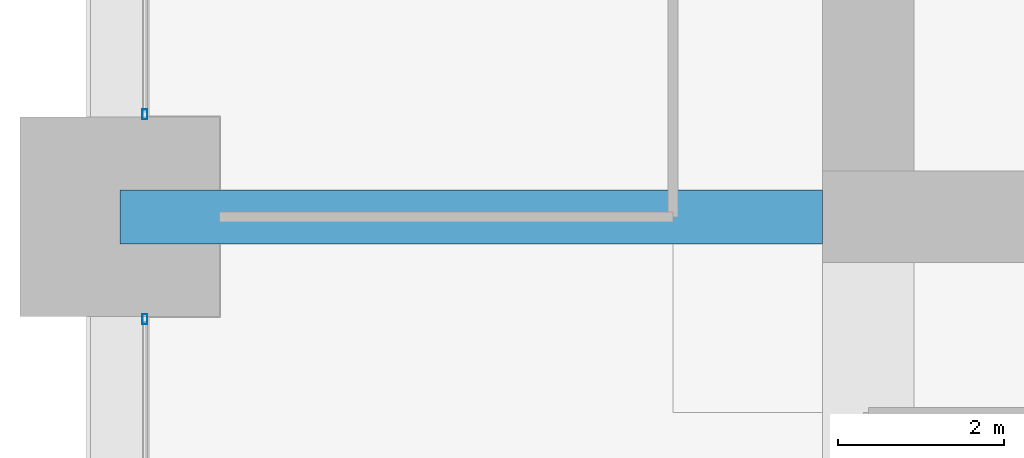
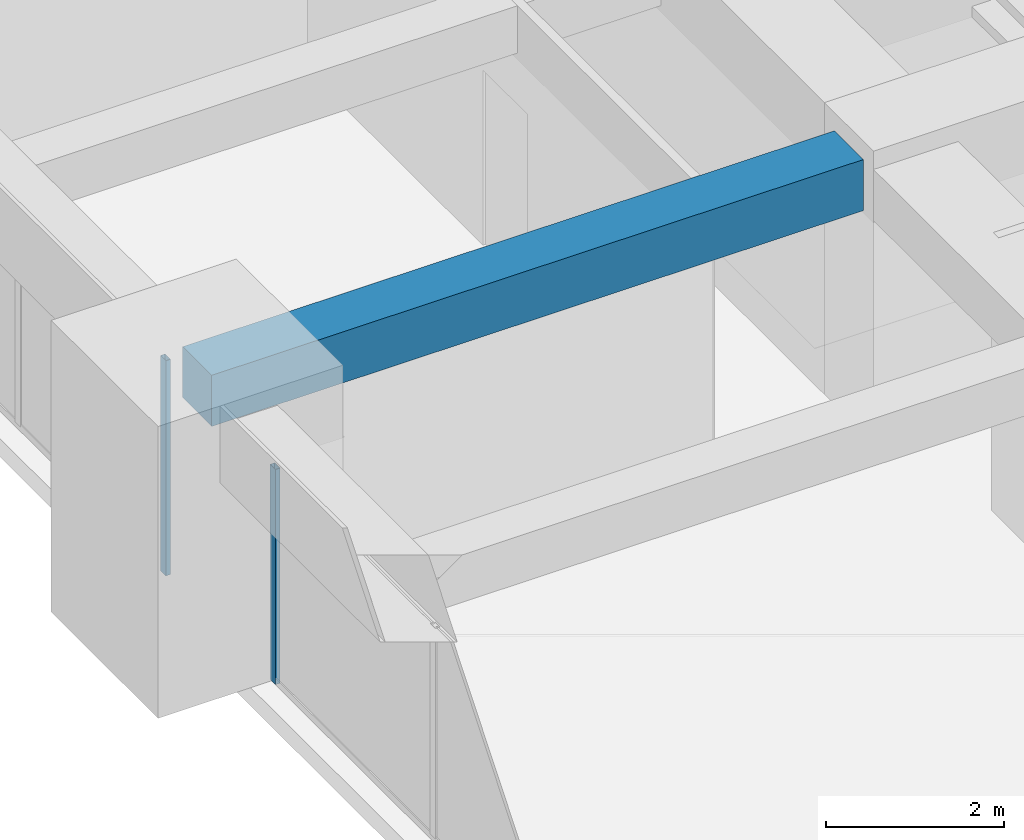
# One storey, part 13 of 45: 2 members, 1 beam, 2 elements without a shape of their own.
"""IFC4 building model written with IfcOpenShell, lengths in metres."""

from ifc_helpers import new_model, si_unit, direction, frame, origin, origin_2d, place, context, subcontext, project, spatial, rectangle, hollow_rectangle, extrude, material, material_profile, profile_set, type_object, element, aggregate, save


model = new_model("IFC4")

# Units and contexts
model_context = context("Model", 3, precision=1e-05, world=origin(), true_north=direction((0.0, 1.0)))
body_context = subcontext(model_context, "Body", "Model", "MODEL_VIEW")
ifc_project = project(units=[si_unit("LENGTHUNIT", "METRE"), si_unit("AREAUNIT", "SQUARE_METRE"), si_unit("VOLUMEUNIT", "CUBIC_METRE"), si_unit("PLANEANGLEUNIT", "RADIAN"), si_unit("MASSUNIT", "GRAM", prefix="KILO")], contexts=[model_context])

# Site, building, storey
site_placement = place(None, origin())
site = spatial("IfcSite", under=ifc_project, at=site_placement, CompositionType="ELEMENT")
building_placement = place(site_placement, origin())
building = spatial("IfcBuilding", under=site, at=building_placement, Name="Zorevar Civic Tower", CompositionType="ELEMENT")
storey_placement = place(building_placement, frame((0.0, 0.0, 247.39990234375)))
storey = spatial("IfcBuildingStorey", under=building, at=storey_placement, Name="L60", CompositionType="ELEMENT", Elevation=247.39990234375)

# Beam
ifc_material_1 = material(Name="Concrete C50/60", Category="concrete")
ifc_material_profile_1 = material_profile(ifc_material_1, rectangle(XDim=0.64990234375, YDim=0.699951171875, at=origin_2d()), Name="RC 650x700")
ifc_profile_set_1 = profile_set([ifc_material_profile_1], Name="Concrete C50/60")
beam_type = type_object("IfcBeamType", Name="Beam RC 650x700", PredefinedType="BEAM", material=ifc_profile_set_1)
beam_placement = place(storey_placement, frame((9.0, 18.0, 3.400146484375), z_axis=(1.0, 0.0, 0.0), x_axis=(0.0, 1.0, 0.0)))
element("IfcBeam", 1, at=beam_placement, inside=storey, type_object=beam_type, Name="Girder L61", PredefinedType="BEAM", context=body_context, shape_type="SweptSolid", body=[
    extrude(rectangle(XDim=0.64990234375, YDim=0.699951171875, at=origin_2d()), origin(), (0.0, 0.0, 1.0), 8.449951171875),
])

# Curtain wall, member
ifc_material_2 = material(Name="Dark grey solar-control glass in black aluminium frame", Category="aluminium")
curtain_wall_type = type_object("IfcCurtainWallType", Name="Curtain wall CW5 top zone", PredefinedType="NOTDEFINED", material=ifc_material_2)
curtain_wall_1_placement = place(storey_placement, origin())
curtain_wall_1 = element("IfcCurtainWall", 2, at=curtain_wall_1_placement, inside=storey, type_object=curtain_wall_type, Name="CW5 L60", PredefinedType="NOTDEFINED")
ifc_material_3 = material(Name="Aluminium, black anodised", Category="aluminium")
ifc_material_profile_2 = material_profile(ifc_material_3, hollow_rectangle(XDim=0.06005859375, YDim=0.1201171875, WallThickness=0.0029296875, at=origin_2d()), Name="AL 120x60x3")
ifc_profile_set_2 = profile_set([ifc_material_profile_2], Name="Aluminium, black anodised")
member_type = type_object("IfcMemberType", Name="CW5 mullion AL 120x60x3", PredefinedType="MULLION", material=ifc_profile_set_2)
member_1_placement = place(storey_placement, frame((9.300048828125, 16.77001953125, 0.0), z_axis=(0.0, 0.0, 1.0), x_axis=(-1.0, 0.0, 0.0)))
member_1 = element("IfcMember", 3, at=member_1_placement, type_object=member_type, Name="CW5 mullion 3", PredefinedType="MULLION", context=body_context, shape_type="SweptSolid", body=[
    extrude(hollow_rectangle(XDim=0.06005859375, YDim=0.1201171875, WallThickness=0.0029296875, at=origin_2d()), origin(), (0.0, 0.0, 1.0), 2.9501953125),
])
aggregate(curtain_wall_1, [member_1])

curtain_wall_2_placement = place(storey_placement, origin())
curtain_wall_2 = element("IfcCurtainWall", 4, at=curtain_wall_2_placement, inside=storey, type_object=curtain_wall_type, Name="CW5 L60", PredefinedType="NOTDEFINED")
member_2_placement = place(storey_placement, frame((9.300048828125, 19.22998046875, 0.0), z_axis=(0.0, 0.0, 1.0), x_axis=(-1.0, 0.0, 0.0)))
member_2 = element("IfcMember", 5, at=member_2_placement, type_object=member_type, Name="CW5 mullion 1", PredefinedType="MULLION", context=body_context, shape_type="SweptSolid", body=[
    extrude(hollow_rectangle(XDim=0.06005859375, YDim=0.1201171875, WallThickness=0.0029296875, at=origin_2d()), origin(), (0.0, 0.0, 1.0), 2.9501953125),
])
aggregate(curtain_wall_2, [member_2])

save(model, "model.ifc")
